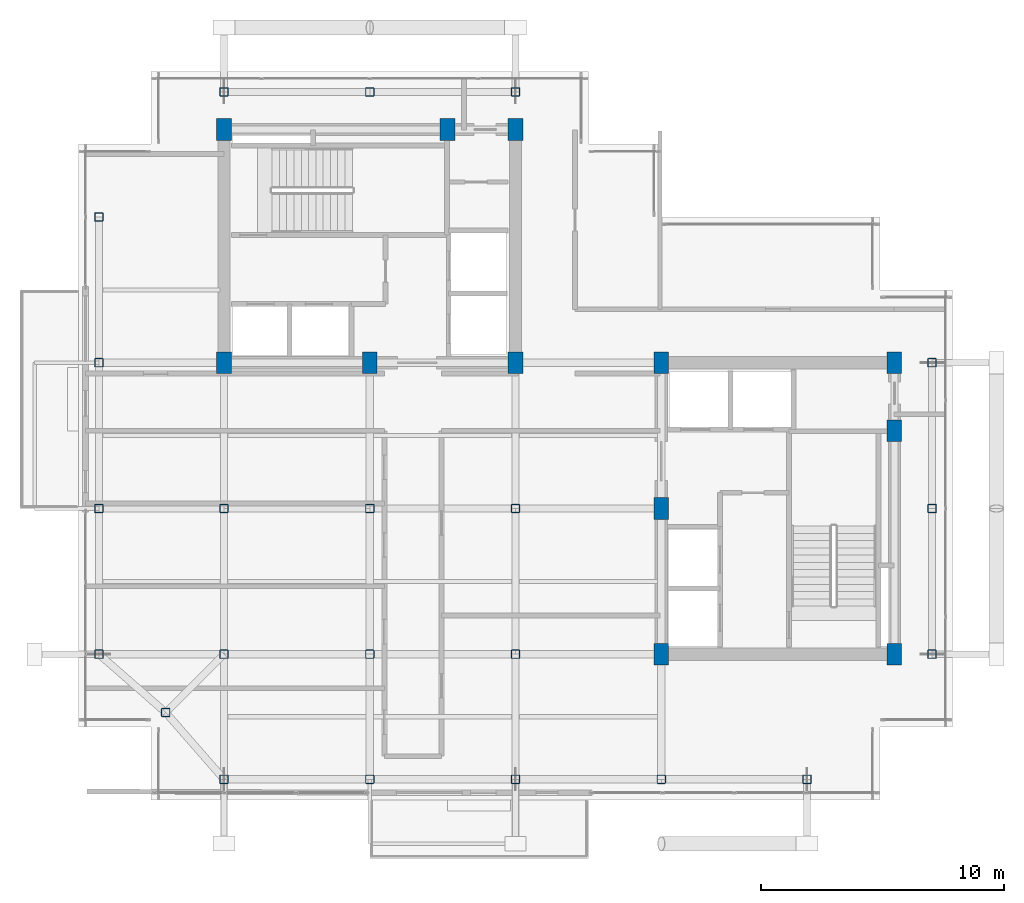
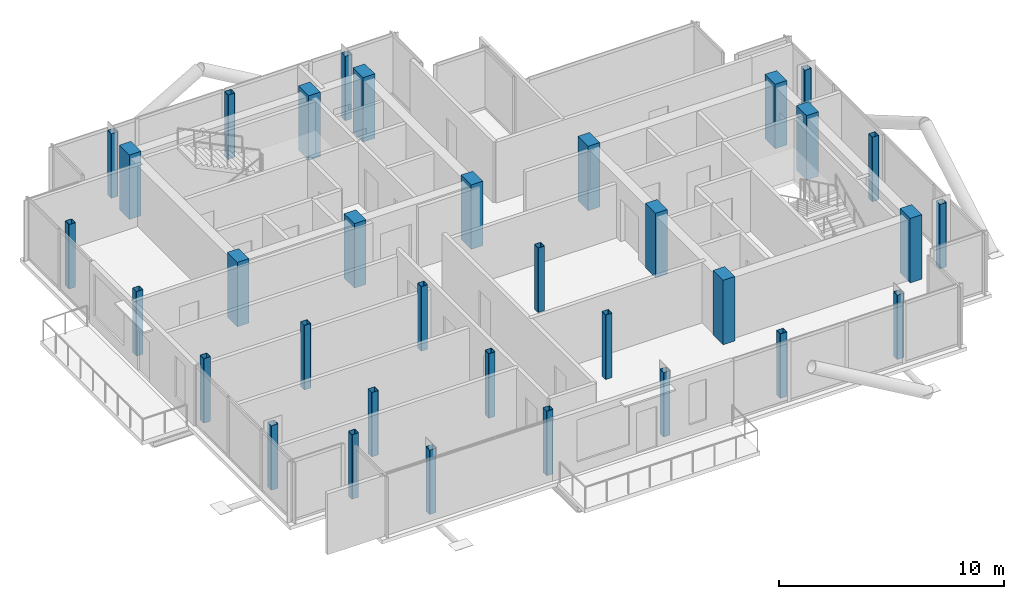
# One storey, part 1 of 18: 34 columns.
"""IFC4 building model written with IfcOpenShell, lengths in metres."""

from ifc_helpers import new_model, si_unit, direction, frame, origin, origin_2d, place, context, subcontext, project, spatial, rectangle, hollow_rectangle, extrude, material, material_profile, profile_set, type_object, element, save


model = new_model("IFC4")

# Units and contexts
model_context = context("Model", 3, precision=1e-05, world=origin(), true_north=direction((0.0, 1.0)))
body_context = subcontext(model_context, "Body", "Model", "MODEL_VIEW")
ifc_project = project(units=[si_unit("LENGTHUNIT", "METRE"), si_unit("AREAUNIT", "SQUARE_METRE"), si_unit("VOLUMEUNIT", "CUBIC_METRE"), si_unit("PLANEANGLEUNIT", "RADIAN"), si_unit("MASSUNIT", "GRAM", prefix="KILO"), si_unit("THERMODYNAMICTEMPERATUREUNIT", "KELVIN"), si_unit("POWERUNIT", "WATT")], contexts=[model_context])

# Site, building, storey
site_placement = place(None, origin())
site = spatial("IfcSite", under=ifc_project, at=site_placement, CompositionType="ELEMENT")
building_placement = place(site_placement, origin())
building = spatial("IfcBuilding", under=site, at=building_placement, Name="Svarakhadi Broadcast Tower", CompositionType="ELEMENT")
storey_placement = place(building_placement, frame((0.0, 0.0, 278.199951171875)))
storey = spatial("IfcBuildingStorey", under=building, at=storey_placement, Name="L70", CompositionType="ELEMENT", Elevation=278.199951171875)

# Columns
ifc_material_1 = material(Name="Concrete C50/60 (IS 456 M60)", Category="concrete")
ifc_material_profile_1 = material_profile(ifc_material_1, rectangle(XDim=0.60009765625, YDim=0.89990234375, at=origin_2d()), Name="RC 600x900")
ifc_profile_set_1 = profile_set([ifc_material_profile_1], Name="Concrete C50/60 (IS 456 M60)")
column_type_1 = type_object("IfcColumnType", Name="Col_RC600", PredefinedType="COLUMN", material=ifc_profile_set_1)
for number, where, z_axis, x_axis, name in (
    (1, (6.0, 18.0, 0.0), (0.0, 0.0, 1.0), (1.0, 0.0, 0.0), "L70 Column CW1"),
    (2, (12.0, 18.0, 0.0), (0.0, 0.0, 1.0), (1.0, 0.0, 0.0), "L70 Column CW2"),
    (3, (18.0, 18.0, 0.0), (0.0, 0.0, 1.0), (1.0, 0.0, 0.0), "L70 Column CW3"),
    (4, (6.0, 27.60009765625, 0.0), (0.0, 0.0, 1.0), (1.0, 0.0, 0.0), "L70 Column CW4"),
    (5, (15.199951171875, 27.60009765625, 0.0), (0.0, 0.0, 1.0), (1.0, 0.0, 0.0), "L70 Column CW5"),
    (6, (18.0, 27.60009765625, 0.0), (0.0, 0.0, 1.0), (1.0, 0.0, 0.0), "L70 Column CW6"),
    (7, (24.0, 6.0, 0.0), (0.0, 0.0, 1.0), (1.0, 0.0, 0.0), "L70 Column CE1"),
    (8, (24.0, 12.0, 0.0), (0.0, 0.0, 1.0), (1.0, 0.0, 0.0), "L70 Column CE2"),
    (9, (24.0, 18.0, 0.0), (0.0, 0.0, 1.0), (1.0, 0.0, 0.0), "L70 Column CE3"),
    (10, (33.60009765625, 6.0, 0.0), (0.0, 0.0, 1.0), (1.0, 0.0, 0.0), "L70 Column CE4"),
    (11, (33.60009765625, 15.199951171875, 0.0), (0.0, 0.0, 1.0), (1.0, 0.0, 0.0), "L70 Column CE5"),
    (12, (33.60009765625, 18.0, 0.0), (0.0, 0.0, 1.0), (1.0, 0.0, 0.0), "L70 Column CE6"),
):
    element("IfcColumn", number, at=place(storey_placement, frame(where, z_axis=z_axis, x_axis=x_axis)), inside=storey, type_object=column_type_1, Name=name, PredefinedType="COLUMN", context=body_context, shape_type="SweptSolid", body=[
        extrude(rectangle(XDim=0.60009765625, YDim=0.89990234375, at=origin_2d()), origin(), (0.0, 0.0, 1.0), 3.5),
    ])
ifc_material_2 = material(Name="Steel S460ML (IS 2062 E450BR)", Category="steel")
ifc_material_profile_2 = material_profile(ifc_material_2, hollow_rectangle(XDim=0.35009765625, YDim=0.35009765625, WallThickness=0.01611328125, InnerFilletRadius=0.01611328125, OuterFilletRadius=0.031982421875, at=origin_2d()), Name="SHS 350x350x16")
ifc_profile_set_2 = profile_set([ifc_material_profile_2], Name="Steel S460ML (IS 2062 E450BR)")
column_type_2 = type_object("IfcColumnType", Name="Col_SHS350", PredefinedType="COLUMN", material=ifc_profile_set_2)
for number, where, z_axis, x_axis, name in (
    (13, (3.60009765625, 3.60009765625, 0.0), (0.0, 0.0, 1.0), (1.0, 0.0, 0.0), "L70 Column G01"),
    (14, (0.85009765625, 6.0, 0.0), (0.0, 0.0, 1.0), (1.0, 0.0, 0.0), "L70 Column G03"),
    (15, (0.85009765625, 12.0, 0.0), (0.0, 0.0, 1.0), (1.0, 0.0, 0.0), "L70 Column G04"),
    (16, (0.85009765625, 18.0, 0.0), (0.0, 0.0, 1.0), (1.0, 0.0, 0.0), "L70 Column G05"),
    (17, (0.85009765625, 24.0, 0.0), (0.0, 0.0, 1.0), (1.0, 0.0, 0.0), "L70 Column G06"),
    (18, (6.0, 0.85009765625, 0.0), (0.0, 0.0, 1.0), (1.0, 0.0, 0.0), "L70 Column G11"),
    (19, (6.0, 6.0, 0.0), (0.0, 0.0, 1.0), (1.0, 0.0, 0.0), "L70 Column G12"),
    (20, (6.0, 12.0, 0.0), (0.0, 0.0, 1.0), (1.0, 0.0, 0.0), "L70 Column G13"),
    (21, (6.0, 29.14990234375, 0.0), (0.0, 0.0, 1.0), (1.0, 0.0, 0.0), "L70 Column G14"),
    (22, (12.0, 0.85009765625, 0.0), (0.0, 0.0, 1.0), (1.0, 0.0, 0.0), "L70 Column G18"),
    (23, (12.0, 6.0, 0.0), (0.0, 0.0, 1.0), (1.0, 0.0, 0.0), "L70 Column G19"),
    (24, (12.0, 12.0, 0.0), (0.0, 0.0, 1.0), (1.0, 0.0, 0.0), "L70 Column G20"),
    (25, (12.0, 29.14990234375, 0.0), (0.0, 0.0, 1.0), (1.0, 0.0, 0.0), "L70 Column G21"),
    (26, (18.0, 0.85009765625, 0.0), (0.0, 0.0, 1.0), (1.0, 0.0, 0.0), "L70 Column G25"),
    (27, (18.0, 6.0, 0.0), (0.0, 0.0, 1.0), (1.0, 0.0, 0.0), "L70 Column G26"),
    (28, (18.0, 12.0, 0.0), (0.0, 0.0, 1.0), (1.0, 0.0, 0.0), "L70 Column G27"),
    (29, (18.0, 29.14990234375, 0.0), (0.0, 0.0, 1.0), (1.0, 0.0, 0.0), "L70 Column G28"),
    (30, (24.0, 0.85009765625, 0.0), (0.0, 0.0, 1.0), (1.0, 0.0, 0.0), "L70 Column G32"),
    (31, (30.0, 0.85009765625, 0.0), (0.0, 0.0, 1.0), (1.0, 0.0, 0.0), "L70 Column G36"),
    (32, (35.14990234375, 6.0, 0.0), (0.0, 0.0, 1.0), (1.0, 0.0, 0.0), "L70 Column G39"),
    (33, (35.14990234375, 12.0, 0.0), (0.0, 0.0, 1.0), (1.0, 0.0, 0.0), "L70 Column G40"),
    (34, (35.14990234375, 18.0, 0.0), (0.0, 0.0, 1.0), (1.0, 0.0, 0.0), "L70 Column G41"),
):
    element("IfcColumn", number, at=place(storey_placement, frame(where, z_axis=z_axis, x_axis=x_axis)), inside=storey, type_object=column_type_2, Name=name, PredefinedType="COLUMN", context=body_context, shape_type="SweptSolid", body=[
        extrude(hollow_rectangle(XDim=0.35009765625, YDim=0.35009765625, WallThickness=0.01611328125, InnerFilletRadius=0.01611328125, OuterFilletRadius=0.031982421875, at=origin_2d()), origin(), (0.0, 0.0, 1.0), 3.5),
    ])

save(model, "model.ifc")
